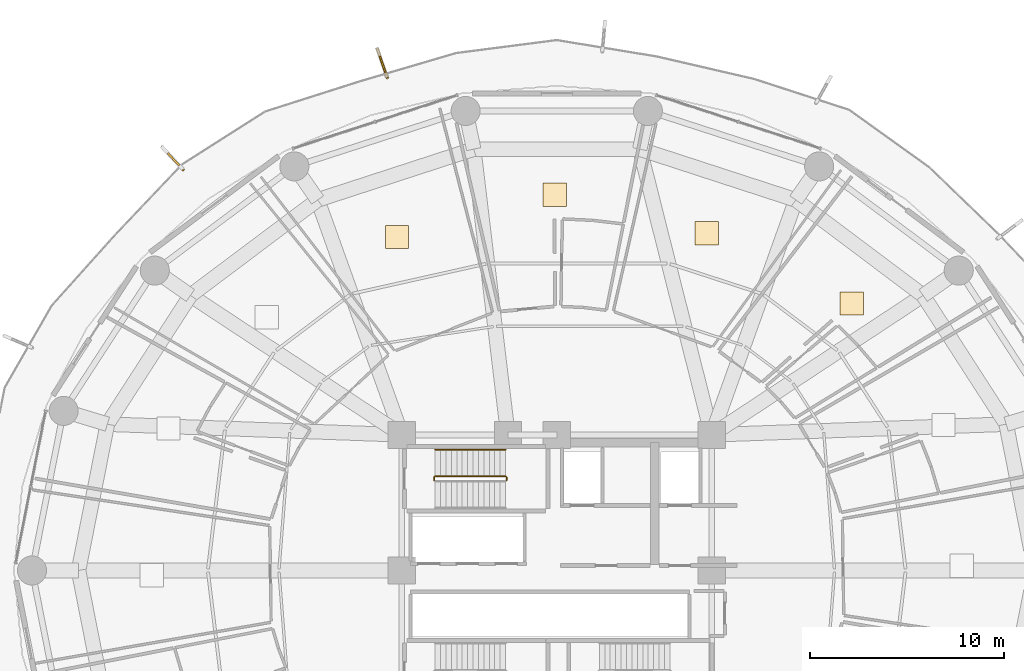
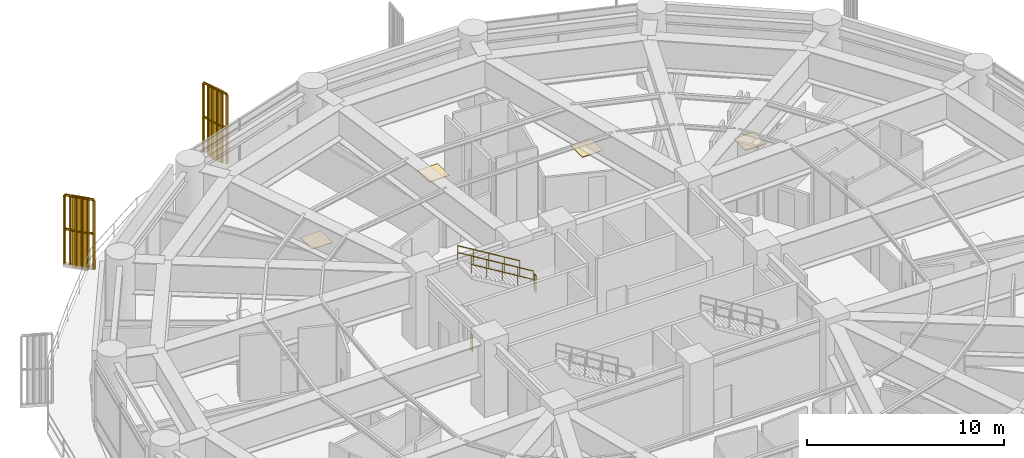
# One storey, part 30 of 31: 6 railings, 4 coverings, 2 shading devices.
"""IFC4 building model written with IfcOpenShell, lengths in metres."""

from ifc_helpers import new_model, si_unit, direction, frame, origin, origin_2d, place, context, subcontext, project, spatial, polyline, rectangle, outline, extrude, source, transform, mapped, material, layer, layer_set, type_object, element, save


model = new_model("IFC4")

# Units and contexts
model_context = context("Model", 3, precision=1e-05, world=origin(), true_north=direction((0.0, 1.0)))
body_context = subcontext(model_context, "Body", "Model", "MODEL_VIEW")
ifc_project = project(units=[si_unit("LENGTHUNIT", "METRE"), si_unit("AREAUNIT", "SQUARE_METRE"), si_unit("VOLUMEUNIT", "CUBIC_METRE"), si_unit("PLANEANGLEUNIT", "RADIAN"), si_unit("MASSUNIT", "GRAM", prefix="KILO")], contexts=[model_context])

# Site, building, storey
site_placement = place(None, origin())
site = spatial("IfcSite", under=ifc_project, at=site_placement, CompositionType="ELEMENT")
building_placement = place(site_placement, origin())
building = spatial("IfcBuilding", under=site, at=building_placement, Name="Kelanora Arch Commons", CompositionType="ELEMENT")
storey_placement = place(building_placement, frame((0.0, 0.0, 67.5)))
storey = spatial("IfcBuildingStorey", under=building, at=storey_placement, Name="L17", CompositionType="ELEMENT", Elevation=67.5)

# Railings
ifc_material_1 = material(Name="Anodised bronze vertical shading fin rib assembly")
railing_type_1 = type_object("IfcRailingType", Name="RAIL-FIN-BRZ", PredefinedType="BALUSTRADE", material=ifc_material_1)
railing_1_placement = place(storey_placement, frame((65.251220703125, 83.430419921875, -0.02001953125)))
element("IfcRailing", 1, at=railing_1_placement, inside=storey, type_object=railing_type_1, Name="Sweeping Bronze Vertical Fin Blade L17-03", PredefinedType="BALUSTRADE", context=body_context, shape_type="SweptSolid", body=[
    extrude(outline(polyline([(0.06982421875, 0.0), (0.034912109375, 0.060546875), (-0.034912109375, 0.060546875), (-0.06982421875, 0.0), (-0.034912109375, -0.060546875), (0.034912109375, -0.060546875), (0.06982421875, 0.0)])), frame((0.0, 0.0, 4.2900390625), z_axis=(-0.325438198592, 0.945563313003, 0.0), x_axis=(-0.945563313003, -0.325438198592, 0.0)), (0.0, 0.0, 1.0), 1.579833984375),
    extrude(outline(polyline([(0.06982421875, 0.0), (0.034912109375, 0.060546875), (-0.034912109375, 0.060546875), (-0.06982421875, 0.0), (-0.034912109375, -0.060546875), (0.034912109375, -0.060546875), (0.06982421875, 0.0)])), frame((0.0, 0.0, 2.18017578125), z_axis=(-0.325438198592, 0.945563313003, 0.0), x_axis=(-0.945563313003, -0.325438198592, 0.0)), (0.0, 0.0, 1.0), 1.579833984375),
    extrude(outline(polyline([(0.080078125, 0.0), (0.0400390625, 0.0693359375), (-0.0400390625, 0.0693359375), (-0.080078125, 0.0), (-0.0400390625, -0.0693359375), (0.0400390625, -0.0693359375), (0.080078125, 0.0)])), origin(), (0.0, 0.0, 1.0), 4.22021484375),
    extrude(outline(polyline([(0.080078125, 0.0), (0.0400390625, 0.0693359375), (-0.0400390625, 0.0693359375), (-0.080078125, 0.0), (-0.0400390625, -0.0693359375), (0.0400390625, -0.0693359375), (0.080078125, 0.0)])), frame((-0.102783203125, 0.298828125, 0.0)), (0.0, 0.0, 1.0), 4.22021484375),
    extrude(outline(polyline([(0.080078125, 0.0), (0.0400390625, 0.0693359375), (-0.0400390625, 0.0693359375), (-0.080078125, 0.0), (-0.0400390625, -0.0693359375), (0.0400390625, -0.0693359375), (0.080078125, 0.0)])), frame((-0.20556640625, 0.59765625, 0.0)), (0.0, 0.0, 1.0), 4.22021484375),
    extrude(outline(polyline([(0.080078125, 0.0), (0.0400390625, 0.0693359375), (-0.0400390625, 0.0693359375), (-0.080078125, 0.0), (-0.0400390625, -0.0693359375), (0.0400390625, -0.0693359375), (0.080078125, 0.0)])), frame((-0.30859375, 0.896240234375, 0.0)), (0.0, 0.0, 1.0), 4.22021484375),
    extrude(outline(polyline([(0.080078125, 0.0), (0.0400390625, 0.0693359375), (-0.0400390625, 0.0693359375), (-0.080078125, 0.0), (-0.0400390625, -0.0693359375), (0.0400390625, -0.0693359375), (0.080078125, 0.0)])), frame((-0.411376953125, 1.195068359375, 0.0)), (0.0, 0.0, 1.0), 4.22021484375),
    extrude(outline(polyline([(0.080078125, 0.0), (0.0400390625, 0.0693359375), (-0.0400390625, 0.0693359375), (-0.080078125, 0.0), (-0.0400390625, -0.0693359375), (0.0400390625, -0.0693359375), (0.080078125, 0.0)])), frame((-0.51416015625, 1.493896484375, 0.0)), (0.0, 0.0, 1.0), 4.22021484375),
])
railing_2_placement = place(storey_placement, frame((54.71240234375, 78.6943359375, -0.02001953125)))
element("IfcRailing", 2, at=railing_2_placement, inside=storey, type_object=railing_type_1, Name="Sweeping Bronze Vertical Fin Blade L17-04", PredefinedType="BALUSTRADE", context=body_context, shape_type="SweptSolid", body=[
    extrude(outline(polyline([(0.06982421875, 0.0), (0.034912109375, 0.060546875), (-0.034912109375, 0.060546875), (-0.06982421875, 0.0), (-0.034912109375, -0.060546875), (0.034912109375, -0.060546875), (0.06982421875, 0.0)])), frame((0.0, 0.0, 4.2900390625), z_axis=(-0.68187219697, 0.731471330265, 0.0), x_axis=(-0.731471330265, -0.68187219697, 0.0)), (0.0, 0.0, 1.0), 1.580078125),
    extrude(outline(polyline([(0.06982421875, 0.0), (0.034912109375, 0.060546875), (-0.034912109375, 0.060546875), (-0.06982421875, 0.0), (-0.034912109375, -0.060546875), (0.034912109375, -0.060546875), (0.06982421875, 0.0)])), frame((0.0, 0.0, 2.18017578125), z_axis=(-0.68187219697, 0.731471330265, 0.0), x_axis=(-0.731471330265, -0.68187219697, 0.0)), (0.0, 0.0, 1.0), 1.580078125),
    extrude(outline(polyline([(0.080078125, 0.0), (0.0400390625, 0.0693359375), (-0.0400390625, 0.0693359375), (-0.080078125, 0.0), (-0.0400390625, -0.0693359375), (0.0400390625, -0.0693359375), (0.080078125, 0.0)])), origin(), (0.0, 0.0, 1.0), 4.22021484375),
    extrude(outline(polyline([(0.080078125, 0.0), (0.0400390625, 0.0693359375), (-0.0400390625, 0.0693359375), (-0.080078125, 0.0), (-0.0400390625, -0.0693359375), (0.0400390625, -0.0693359375), (0.080078125, 0.0)])), frame((-0.215576171875, 0.231201171875, 0.0)), (0.0, 0.0, 1.0), 4.22021484375),
    extrude(outline(polyline([(0.080078125, 0.0), (0.0400390625, 0.0693359375), (-0.0400390625, 0.0693359375), (-0.080078125, 0.0), (-0.0400390625, -0.0693359375), (0.0400390625, -0.0693359375), (0.080078125, 0.0)])), frame((-0.430908203125, 0.46240234375, 0.0)), (0.0, 0.0, 1.0), 4.22021484375),
    extrude(outline(polyline([(0.080078125, 0.0), (0.0400390625, 0.0693359375), (-0.0400390625, 0.0693359375), (-0.080078125, 0.0), (-0.0400390625, -0.0693359375), (0.0400390625, -0.0693359375), (0.080078125, 0.0)])), frame((-0.646484375, 0.693359375, 0.0)), (0.0, 0.0, 1.0), 4.22021484375),
    extrude(outline(polyline([(0.080078125, 0.0), (0.0400390625, 0.0693359375), (-0.0400390625, 0.0693359375), (-0.080078125, 0.0), (-0.0400390625, -0.0693359375), (0.0400390625, -0.0693359375), (0.080078125, 0.0)])), frame((-0.86181640625, 0.924560546875, 0.0)), (0.0, 0.0, 1.0), 4.22021484375),
    extrude(outline(polyline([(0.080078125, 0.0), (0.0400390625, 0.0693359375), (-0.0400390625, 0.0693359375), (-0.080078125, 0.0), (-0.0400390625, -0.0693359375), (0.0400390625, -0.0693359375), (0.080078125, 0.0)])), frame((-1.077392578125, 1.15576171875, 0.0)), (0.0, 0.0, 1.0), 4.22021484375),
])
ifc_material_2 = material(Name="Painted steel stair well guard", Category="steel")
railing_type_2 = type_object("IfcRailingType", Name="RAIL-STAIR-GRD", PredefinedType="GUARDRAIL", material=ifc_material_2)
railing_3_placement = place(storey_placement, frame((71.409912109375, 62.659912109375, 2.3798828125)))
element("IfcRailing", 3, at=railing_3_placement, inside=storey, type_object=railing_type_2, Name="L17 ST-T1 stair guard 2", PredefinedType="GUARDRAIL", context=body_context, shape_type="SweptSolid", body=[
    extrude(outline(polyline([(0.02392578125, 0.0), (0.011962890625, 0.020751953125), (-0.011962890625, 0.020751953125), (-0.02392578125, 0.0), (-0.011962890625, -0.020751953125), (0.011962890625, -0.020751953125), (0.02392578125, 0.0)])), frame((0.0, 0.0, 1.076171875), z_axis=(0.0, 1.0, 0.0), x_axis=(-1.0, 0.0, 0.0)), (0.0, 0.0, 1.0), 0.150146484375),
    extrude(outline(polyline([(0.02392578125, 0.0), (0.011962890625, 0.020751953125), (-0.011962890625, 0.020751953125), (-0.02392578125, 0.0), (-0.011962890625, -0.020751953125), (0.011962890625, -0.020751953125), (0.02392578125, 0.0)])), frame((0.0, 0.0, 0.550048828125), z_axis=(0.0, 1.0, 0.0), x_axis=(-1.0, 0.0, 0.0)), (0.0, 0.0, 1.0), 0.150146484375),
    extrude(outline(polyline([(0.02099609375, 0.0), (0.010498046875, 0.01806640625), (-0.010498046875, 0.01806640625), (-0.02099609375, 0.0), (-0.010498046875, -0.01806640625), (0.010498046875, -0.01806640625), (0.02099609375, 0.0)])), origin(), (0.0, 0.0, 1.0), 1.052001953125),
    extrude(outline(polyline([(0.02099609375, 0.0), (0.010498046875, 0.01806640625), (-0.010498046875, 0.01806640625), (-0.02099609375, 0.0), (-0.010498046875, -0.01806640625), (0.010498046875, -0.01806640625), (0.02099609375, 0.0)])), frame((0.0, 0.150146484375, 0.0)), (0.0, 0.0, 1.0), 1.052001953125),
])
railing_4_placement = place(storey_placement, frame((71.360107421875, 62.860107421875, 2.550048828125)))
element("IfcRailing", 4, at=railing_4_placement, inside=storey, type_object=railing_type_2, Name="L17 ST-T1 stair guard 3", PredefinedType="GUARDRAIL", context=body_context, shape_type="SweptSolid", body=[
    extrude(outline(polyline([(0.02392578125, 0.0), (0.011962890625, 0.020751953125), (-0.011962890625, 0.020751953125), (-0.02392578125, 0.0), (-0.011962890625, -0.020751953125), (0.011962890625, -0.020751953125), (0.02392578125, 0.0)])), frame((0.0, 0.0, 1.076171875), z_axis=(-0.854800231366, 0.0, 0.518957189425), x_axis=(0.0, -1.0, 0.0)), (0.0, 0.0, 1.0), 4.258544921875),
    extrude(outline(polyline([(0.02392578125, 0.0), (0.011962890625, 0.020751953125), (-0.011962890625, 0.020751953125), (-0.02392578125, 0.0), (-0.011962890625, -0.020751953125), (0.011962890625, -0.020751953125), (0.02392578125, 0.0)])), frame((0.0, 0.0, 0.550048828125), z_axis=(-0.854800231366, 0.0, 0.518957189425), x_axis=(0.0, -1.0, 0.0)), (0.0, 0.0, 1.0), 4.258544921875),
    extrude(outline(polyline([(0.02099609375, 0.0), (0.010498046875, 0.01806640625), (-0.010498046875, 0.01806640625), (-0.02099609375, 0.0), (-0.010498046875, -0.01806640625), (0.010498046875, -0.01806640625), (0.02099609375, 0.0)])), origin(), (0.0, 0.0, 1.0), 1.052001953125),
    extrude(outline(polyline([(0.02099609375, 0.0), (0.010498046875, 0.01806640625), (-0.010498046875, 0.01806640625), (-0.02099609375, 0.0), (-0.010498046875, -0.01806640625), (0.010498046875, -0.01806640625), (0.02099609375, 0.0)])), frame((-0.91015625, 0.0, 0.552490234375)), (0.0, 0.0, 1.0), 1.052001953125),
    extrude(outline(polyline([(0.02099609375, 0.0), (0.010498046875, 0.01806640625), (-0.010498046875, 0.01806640625), (-0.02099609375, 0.0), (-0.010498046875, -0.01806640625), (0.010498046875, -0.01806640625), (0.02099609375, 0.0)])), frame((-1.820068359375, 0.0, 1.10498046875)), (0.0, 0.0, 1.0), 1.052001953125),
    extrude(outline(polyline([(0.02099609375, 0.0), (0.010498046875, 0.01806640625), (-0.010498046875, 0.01806640625), (-0.02099609375, 0.0), (-0.010498046875, -0.01806640625), (0.010498046875, -0.01806640625), (0.02099609375, 0.0)])), frame((-2.72998046875, 0.0, 1.657470703125)), (0.0, 0.0, 1.0), 1.052001953125),
    extrude(outline(polyline([(0.02099609375, 0.0), (0.010498046875, 0.01806640625), (-0.010498046875, 0.01806640625), (-0.02099609375, 0.0), (-0.010498046875, -0.01806640625), (0.010498046875, -0.01806640625), (0.02099609375, 0.0)])), frame((-3.64013671875, 0.0, 2.2099609375)), (0.0, 0.0, 1.0), 1.052001953125),
])
railing_5_placement = place(storey_placement, frame((67.669921875, 62.659912109375, 0.0)))
element("IfcRailing", 5, at=railing_5_placement, inside=storey, type_object=railing_type_2, Name="L17 ST-T1 stair guard 4", PredefinedType="GUARDRAIL", context=body_context, shape_type="SweptSolid", body=[
    extrude(outline(polyline([(0.02392578125, 0.0), (0.011962890625, 0.020751953125), (-0.011962890625, 0.020751953125), (-0.02392578125, 0.0), (-0.011962890625, -0.020751953125), (0.011962890625, -0.020751953125), (0.02392578125, 0.0)])), frame((0.0, 0.0, 1.076171875), z_axis=(0.0, 1.0, 0.0), x_axis=(-1.0, 0.0, 0.0)), (0.0, 0.0, 1.0), 0.150146484375),
    extrude(outline(polyline([(0.02392578125, 0.0), (0.011962890625, 0.020751953125), (-0.011962890625, 0.020751953125), (-0.02392578125, 0.0), (-0.011962890625, -0.020751953125), (0.011962890625, -0.020751953125), (0.02392578125, 0.0)])), frame((0.0, 0.0, 0.550048828125), z_axis=(0.0, 1.0, 0.0), x_axis=(-1.0, 0.0, 0.0)), (0.0, 0.0, 1.0), 0.150146484375),
    extrude(outline(polyline([(0.02099609375, 0.0), (0.010498046875, 0.01806640625), (-0.010498046875, 0.01806640625), (-0.02099609375, 0.0), (-0.010498046875, -0.01806640625), (0.010498046875, -0.01806640625), (0.02099609375, 0.0)])), origin(), (0.0, 0.0, 1.0), 1.052001953125),
    extrude(outline(polyline([(0.02099609375, 0.0), (0.010498046875, 0.01806640625), (-0.010498046875, 0.01806640625), (-0.02099609375, 0.0), (-0.010498046875, -0.01806640625), (0.010498046875, -0.01806640625), (0.02099609375, 0.0)])), frame((0.0, 0.150146484375, 0.0)), (0.0, 0.0, 1.0), 1.052001953125),
])
ifc_material_3 = material(Name="Brushed stainless steel stair handrail", Category="steel")
railing_type_3 = type_object("IfcRailingType", Name="RAIL-STAIR-HND", PredefinedType="HANDRAIL", material=ifc_material_3)
railing_6_placement = place(storey_placement, frame((71.360107421875, 64.239990234375, 2.550048828125)))
element("IfcRailing", 6, at=railing_6_placement, inside=storey, type_object=railing_type_3, Name="L17 ST-T1 stair handrail 2", PredefinedType="HANDRAIL", context=body_context, shape_type="SweptSolid", body=[
    extrude(outline(polyline([(0.02392578125, 0.0), (0.011962890625, 0.020751953125), (-0.011962890625, 0.020751953125), (-0.02392578125, 0.0), (-0.011962890625, -0.020751953125), (0.011962890625, -0.020751953125), (0.02392578125, 0.0)])), frame((0.0, 0.0, 0.8759765625), z_axis=(-0.854800231366, 0.0, 0.518957189425), x_axis=(0.0, -1.0, 0.0)), (0.0, 0.0, 1.0), 4.258544921875),
    extrude(outline(polyline([(0.02392578125, 0.0), (0.011962890625, 0.020751953125), (-0.011962890625, 0.020751953125), (-0.02392578125, 0.0), (-0.011962890625, -0.020751953125), (0.011962890625, -0.020751953125), (0.02392578125, 0.0)])), frame((0.0, 0.0, 0.449951171875), z_axis=(-0.854800231366, 0.0, 0.518957189425), x_axis=(0.0, -1.0, 0.0)), (0.0, 0.0, 1.0), 4.258544921875),
    extrude(outline(polyline([(0.02099609375, 0.0), (0.010498046875, 0.01806640625), (-0.010498046875, 0.01806640625), (-0.02099609375, 0.0), (-0.010498046875, -0.01806640625), (0.010498046875, -0.01806640625), (0.02099609375, 0.0)])), origin(), (0.0, 0.0, 1.0), 0.851806640625),
    extrude(outline(polyline([(0.02099609375, 0.0), (0.010498046875, 0.01806640625), (-0.010498046875, 0.01806640625), (-0.02099609375, 0.0), (-0.010498046875, -0.01806640625), (0.010498046875, -0.01806640625), (0.02099609375, 0.0)])), frame((-0.91015625, 0.0, 0.552490234375)), (0.0, 0.0, 1.0), 0.851806640625),
    extrude(outline(polyline([(0.02099609375, 0.0), (0.010498046875, 0.01806640625), (-0.010498046875, 0.01806640625), (-0.02099609375, 0.0), (-0.010498046875, -0.01806640625), (0.010498046875, -0.01806640625), (0.02099609375, 0.0)])), frame((-1.820068359375, 0.0, 1.10498046875)), (0.0, 0.0, 1.0), 0.851806640625),
    extrude(outline(polyline([(0.02099609375, 0.0), (0.010498046875, 0.01806640625), (-0.010498046875, 0.01806640625), (-0.02099609375, 0.0), (-0.010498046875, -0.01806640625), (0.010498046875, -0.01806640625), (0.02099609375, 0.0)])), frame((-2.72998046875, 0.0, 1.657470703125)), (0.0, 0.0, 1.0), 0.851806640625),
    extrude(outline(polyline([(0.02099609375, 0.0), (0.010498046875, 0.01806640625), (-0.010498046875, 0.01806640625), (-0.02099609375, 0.0), (-0.010498046875, -0.01806640625), (0.010498046875, -0.01806640625), (0.02099609375, 0.0)])), frame((-3.64013671875, 0.0, 2.2099609375)), (0.0, 0.0, 1.0), 0.851806640625),
])

# Shading devices
ifc_material_4 = material(Name="Terracotta ceramic-clad extruded aluminium fin", Category="masonry")
shading_device_type = type_object("IfcShadingDeviceType", Name="SHD-FIN-FLARE", PredefinedType="USERDEFINED", material=ifc_material_4)
shared_shape_1 = source(origin(), body_context, "Body", "SweptSolid", [
    extrude(rectangle(XDim=0.8798828125, YDim=0.090087890625, at=origin_2d()), origin(), (0.0, 0.0, 1.0), 4.47998046875),
])
for number, where, z_axis, x_axis, name in (
    (7, (65.016845703125, 84.111083984375, -0.139892578125), (0.0, 0.0, 1.0), (-0.325238086383, 0.945632162717, 0.0), "Sweeping Terracotta Fin L17-03"),
    (8, (54.221435546875, 79.220947265625, -0.139892578125), (0.0, 0.0, 1.0), (-0.681870704375, 0.731472721648, 0.0), "Sweeping Terracotta Fin L17-04"),
):
    element("IfcShadingDevice", number, at=place(storey_placement, frame(where, z_axis=z_axis, x_axis=x_axis)), inside=storey, type_object=shading_device_type, Name=name, ObjectType="FIN", PredefinedType="USERDEFINED", context=body_context, shape_type="MappedRepresentation", body=[
        mapped(shared_shape_1, transform((0.0, 0.0, 0.0), scale=1.0)),
    ])

# Coverings
ifc_material_5 = material(Name="Polished local granite terrazzo flooring", Category="masonry")
ifc_layer = layer(ifc_material_5, 0.030029296875)
ifc_layer_set = layer_set([ifc_layer], Name="Polished local granite terrazzo flooring")
covering_type = type_object("IfcCoveringType", Name="COV-FLR-TER", PredefinedType="FLOORING", material=ifc_layer_set)
shared_shape_2 = source(origin(), body_context, "Body", "SweptSolid", [
    extrude(rectangle(XDim=1.199951171875, YDim=1.199951171875, at=origin_2d()), origin(), (0.0, 0.0, 1.0), 0.030029296875),
])
for number, where, z_axis, x_axis, name in (
    (9, (89.2255859375, 71.78076171875, 0.0), (0.0, 0.0, 1.0), (1.0, 0.0, 0.0), "Co-Living Studio L17-02 Terrazzo Finish"),
    (10, (81.742919921875, 75.399169921875, 0.0), (0.0, 0.0, 1.0), (1.0, 0.0, 0.0), "Communal Dining and Social Hall L17-03 Terrazzo Finish"),
    (11, (73.889892578125, 77.38720703125, 0.0), (0.0, 0.0, 1.0), (1.0, 0.0, 0.0), "Co-Living Studio L17-04 Terrazzo Finish"),
    (12, (65.751708984375, 75.21142578125, 0.0), (0.0, 0.0, 1.0), (1.0, 0.0, 0.0), "Social Sky Lounge L17-05 Terrazzo Finish"),
):
    element("IfcCovering", number, at=place(storey_placement, frame(where, z_axis=z_axis, x_axis=x_axis)), inside=storey, type_object=covering_type, Name=name, PredefinedType="FLOORING", context=body_context, shape_type="MappedRepresentation", body=[
        mapped(shared_shape_2, transform((0.0, 0.0, 0.0), scale=1.0)),
    ])

save(model, "model.ifc")
